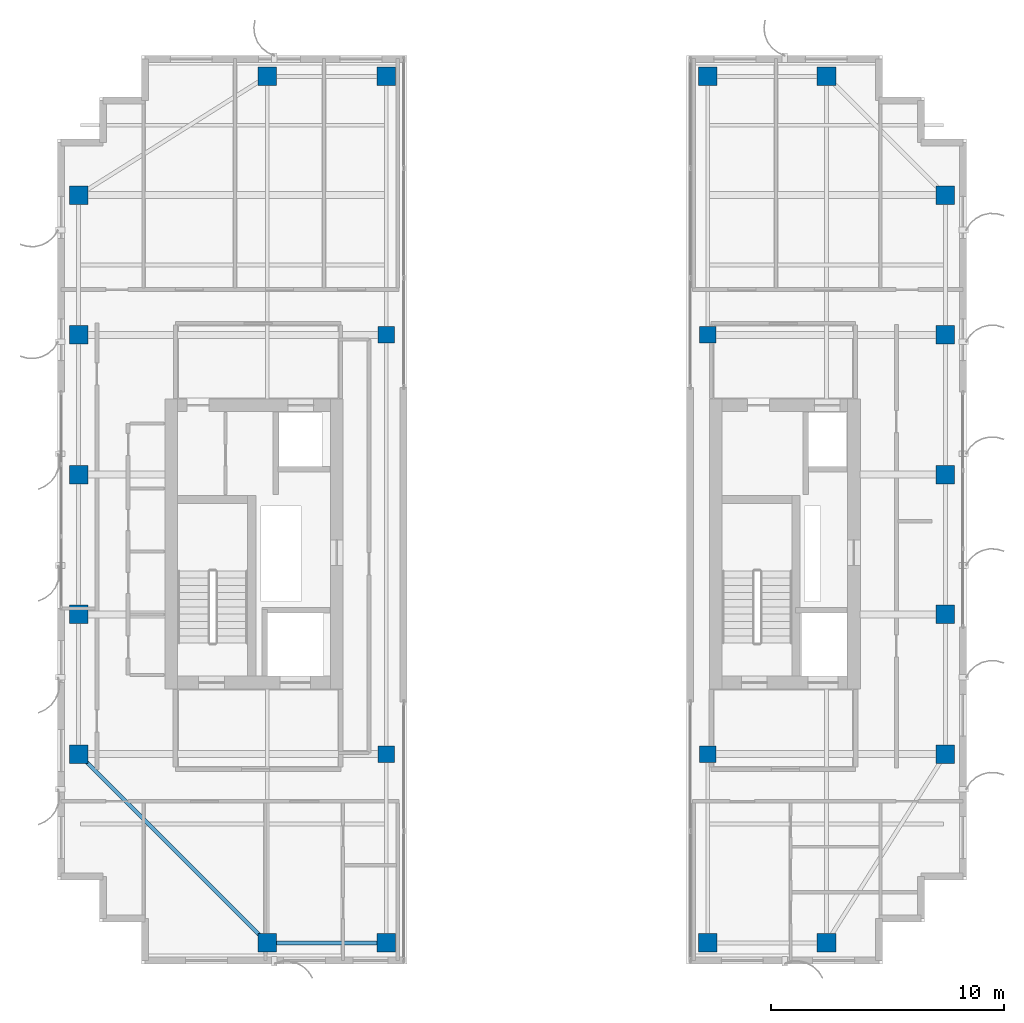
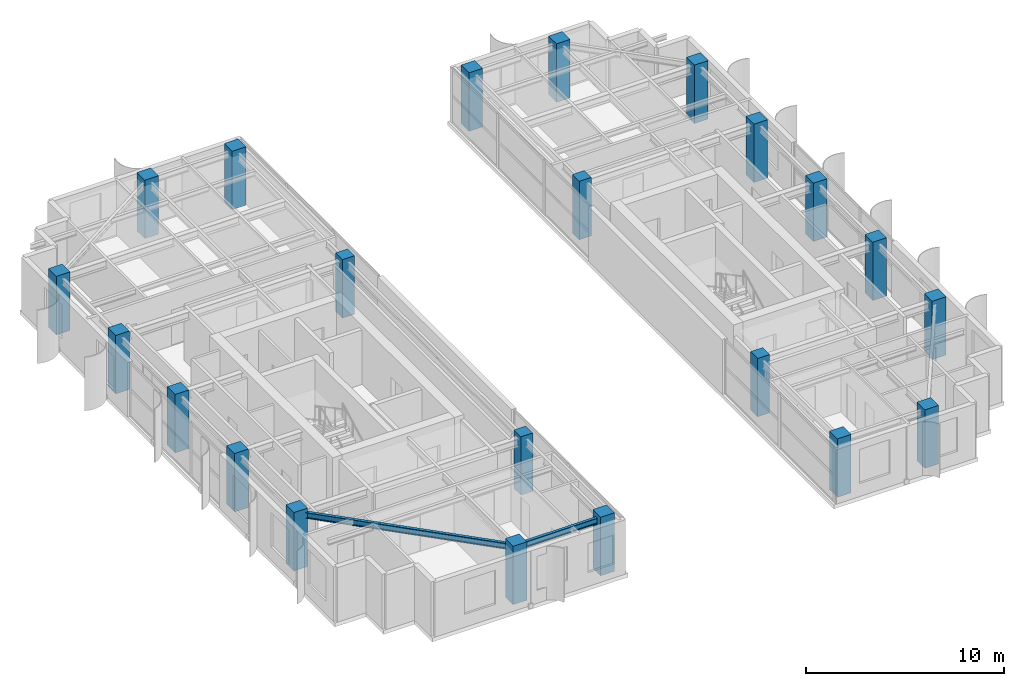
# One storey, part 1 of 24: 22 columns, 2 beams.
"""IFC4 building model written with IfcOpenShell, lengths in metres."""

from ifc_helpers import new_model, si_unit, direction, frame, origin, origin_2d, place, context, subcontext, project, spatial, rectangle, i_section, extrude, source, transform, mapped, material, material_profile, profile_set, type_object, element, save


model = new_model("IFC4")

# Units and contexts
model_context = context("Model", 3, precision=1e-05, world=origin(), true_north=direction((0.0, 1.0)))
body_context = subcontext(model_context, "Body", "Model", "MODEL_VIEW")
ifc_project = project(units=[si_unit("LENGTHUNIT", "METRE"), si_unit("AREAUNIT", "SQUARE_METRE"), si_unit("VOLUMEUNIT", "CUBIC_METRE"), si_unit("PLANEANGLEUNIT", "RADIAN"), si_unit("MASSUNIT", "GRAM", prefix="KILO")], contexts=[model_context])

# Site, building, storey
site_placement = place(None, origin())
site = spatial("IfcSite", under=ifc_project, at=site_placement, CompositionType="ELEMENT")
building_placement = place(site_placement, origin())
building = spatial("IfcBuilding", under=site, at=building_placement, Name="Khoralis Quay Care Tower", CompositionType="ELEMENT")
storey_placement = place(building_placement, frame((0.0, 0.0, 234.89990234375)))
storey = spatial("IfcBuildingStorey", under=building, at=storey_placement, Name="L61", CompositionType="ELEMENT", Elevation=234.89990234375)

# Columns
ifc_material_1 = material(Name="Concrete C50/60", Category="concrete")
ifc_material_profile_1 = material_profile(ifc_material_1, rectangle(XDim=0.800048828125, YDim=0.800048828125, at=origin_2d()), Name="Concrete C50/60")
ifc_profile_set_1 = profile_set([ifc_material_profile_1], Name="Concrete C50/60")
column_type_1 = type_object("IfcColumnType", Name="COL-C800", PredefinedType="COLUMN", material=ifc_profile_set_1)
shared_shape_1 = source(origin(), body_context, "Body", "SweptSolid", [
    extrude(rectangle(XDim=0.800048828125, YDim=0.800048828125, at=origin_2d()), origin(), (0.0, 0.0, 1.0), 3.60009765625),
])
for number, where, z_axis, x_axis, name in (
    (1, (12.0, 3.89990234375, 0.0), (0.0, 0.0, 1.0), (1.0, 0.0, 0.0), "COL-TWR-L61-01"),
    (2, (12.0, 41.10009765625, 0.0), (0.0, 0.0, 1.0), (1.0, 0.0, 0.0), "COL-TWR-L61-02"),
    (3, (17.10009765625, 3.89990234375, 0.0), (0.0, 0.0, 1.0), (1.0, 0.0, 0.0), "COL-TWR-L61-03"),
    (4, (17.10009765625, 41.10009765625, 0.0), (0.0, 0.0, 1.0), (1.0, 0.0, 0.0), "COL-TWR-L61-04"),
    (5, (30.89990234375, 3.89990234375, 0.0), (0.0, 0.0, 1.0), (1.0, 0.0, 0.0), "COL-TWR-L61-05"),
    (6, (30.89990234375, 41.10009765625, 0.0), (0.0, 0.0, 1.0), (1.0, 0.0, 0.0), "COL-TWR-L61-06"),
    (7, (36.0, 3.89990234375, 0.0), (0.0, 0.0, 1.0), (1.0, 0.0, 0.0), "COL-TWR-L61-07"),
    (8, (36.0, 41.10009765625, 0.0), (0.0, 0.0, 1.0), (1.0, 0.0, 0.0), "COL-TWR-L61-08"),
    (9, (3.89990234375, 12.0, 0.0), (0.0, 0.0, 1.0), (1.0, 0.0, 0.0), "COL-TWR-L61-09"),
    (10, (41.10009765625, 12.0, 0.0), (0.0, 0.0, 1.0), (1.0, 0.0, 0.0), "COL-TWR-L61-10"),
    (11, (3.89990234375, 18.0, 0.0), (0.0, 0.0, 1.0), (1.0, 0.0, 0.0), "COL-TWR-L61-11"),
    (12, (41.10009765625, 18.0, 0.0), (0.0, 0.0, 1.0), (1.0, 0.0, 0.0), "COL-TWR-L61-12"),
    (13, (3.89990234375, 24.0, 0.0), (0.0, 0.0, 1.0), (1.0, 0.0, 0.0), "COL-TWR-L61-13"),
    (14, (41.10009765625, 24.0, 0.0), (0.0, 0.0, 1.0), (1.0, 0.0, 0.0), "COL-TWR-L61-14"),
    (15, (3.89990234375, 30.0, 0.0), (0.0, 0.0, 1.0), (1.0, 0.0, 0.0), "COL-TWR-L61-15"),
    (16, (41.10009765625, 30.0, 0.0), (0.0, 0.0, 1.0), (1.0, 0.0, 0.0), "COL-TWR-L61-16"),
    (17, (3.89990234375, 36.0, 0.0), (0.0, 0.0, 1.0), (1.0, 0.0, 0.0), "COL-TWR-L61-17"),
    (18, (41.10009765625, 36.0, 0.0), (0.0, 0.0, 1.0), (1.0, 0.0, 0.0), "COL-TWR-L61-18"),
):
    element("IfcColumn", number, at=place(storey_placement, frame(where, z_axis=z_axis, x_axis=x_axis)), inside=storey, type_object=column_type_1, Name=name, PredefinedType="COLUMN", context=body_context, shape_type="MappedRepresentation", body=[
        mapped(shared_shape_1, transform((0.0, 0.0, 0.0), scale=1.0)),
    ])
ifc_material_profile_2 = material_profile(ifc_material_1, rectangle(XDim=0.699951171875, YDim=0.699951171875, at=origin_2d()), Name="Concrete C50/60")
ifc_profile_set_2 = profile_set([ifc_material_profile_2], Name="Concrete C50/60")
column_type_2 = type_object("IfcColumnType", Name="COL-C700", PredefinedType="COLUMN", material=ifc_profile_set_2)
shared_shape_2 = source(origin(), body_context, "Body", "SweptSolid", [
    extrude(rectangle(XDim=0.699951171875, YDim=0.699951171875, at=origin_2d()), origin(), (0.0, 0.0, 1.0), 3.60009765625),
])
for number, where, z_axis, x_axis, name in (
    (19, (17.10009765625, 12.0, 0.0), (0.0, 0.0, 1.0), (1.0, 0.0, 0.0), "COL-TWR-L61-19"),
    (20, (17.10009765625, 30.0, 0.0), (0.0, 0.0, 1.0), (1.0, 0.0, 0.0), "COL-TWR-L61-20"),
    (21, (30.89990234375, 12.0, 0.0), (0.0, 0.0, 1.0), (1.0, 0.0, 0.0), "COL-TWR-L61-21"),
    (22, (30.89990234375, 30.0, 0.0), (0.0, 0.0, 1.0), (1.0, 0.0, 0.0), "COL-TWR-L61-22"),
):
    element("IfcColumn", number, at=place(storey_placement, frame(where, z_axis=z_axis, x_axis=x_axis)), inside=storey, type_object=column_type_2, Name=name, PredefinedType="COLUMN", context=body_context, shape_type="MappedRepresentation", body=[
        mapped(shared_shape_2, transform((0.0, 0.0, 0.0), scale=1.0)),
    ])

# Beams
ifc_material_2 = material(Name="Steel S355", Category="steel")
ifc_material_profile_3 = material_profile(ifc_material_2, i_section(OverallWidth=0.169921875, OverallDepth=0.360107421875, WebThickness=0.008056640625, FlangeThickness=0.0126953125, FilletRadius=0.01806640625, at=origin_2d()), Name="Steel S355")
ifc_profile_set_3 = profile_set([ifc_material_profile_3], Name="Steel S355")
beam_type = type_object("IfcBeamType", Name="BM-IPE360", PredefinedType="SPANDREL", material=ifc_profile_set_3)
shared_shape_3 = source(origin(), body_context, "Body", "SweptSolid", [
    extrude(i_section(OverallWidth=0.169921875, OverallDepth=0.360107421875, WebThickness=0.008056640625, FlangeThickness=0.0126953125, FilletRadius=0.01806640625, at=origin_2d()), origin(), (0.0, 0.0, 1.0), 5.10009765625),
])
beam_1_placement = place(storey_placement, frame((12.0, 3.89990234375, 3.18017578125), z_axis=(1.0, 0.0, 0.0), x_axis=(0.0, 1.0, 0.0)))
element("IfcBeam", 23, at=beam_1_placement, inside=storey, type_object=beam_type, Name="BM-TSP-L61-01", PredefinedType="SPANDREL", context=body_context, shape_type="MappedRepresentation", body=[
    mapped(shared_shape_3, transform((0.0, 0.0, 0.0), scale=1.0)),
])
shared_shape_4 = source(origin(), body_context, "Body", "SweptSolid", [
    extrude(i_section(OverallWidth=0.169921875, OverallDepth=0.360107421875, WebThickness=0.008056640625, FlangeThickness=0.0126953125, FilletRadius=0.01806640625, at=origin_2d()), origin(), (0.0, 0.0, 1.0), 11.455322265625),
])
beam_2_placement = place(storey_placement, frame((12.0, 3.89990234375, 3.18017578125), z_axis=(-0.707106781187, 0.707106781187, 0.0), x_axis=(-0.707106781187, -0.707106781187, 0.0)))
element("IfcBeam", 24, at=beam_2_placement, inside=storey, type_object=beam_type, Name="BM-TCR-L61-13", PredefinedType="SPANDREL", context=body_context, shape_type="MappedRepresentation", body=[
    mapped(shared_shape_4, transform((0.0, 0.0, 0.0), scale=1.0)),
])

save(model, "model.ifc")
